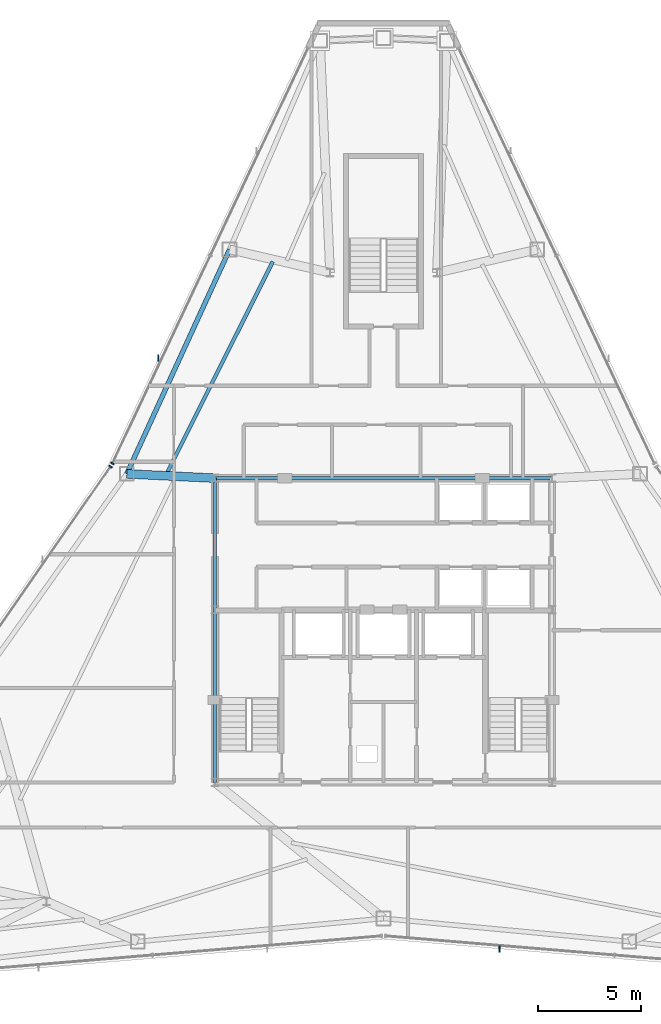
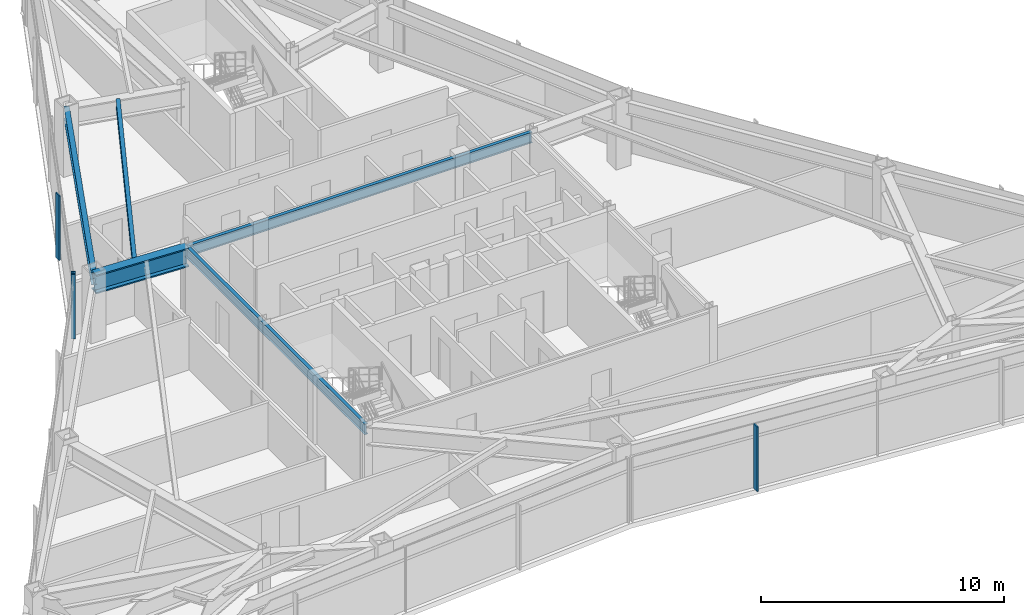
# One storey, part 5 of 12: 5 beams, 4 members, 3 elements without a shape of their own.
"""IFC4 building model written with IfcOpenShell, lengths in metres."""

from ifc_helpers import new_model, si_unit, direction, frame, origin, origin_2d, place, context, subcontext, project, spatial, rectangle, i_section, extrude, source, transform, mapped, material, layer, layer_set, material_profile, profile_set, type_object, type_shapes, element, aggregate, save


model = new_model("IFC4")

# Units and contexts
model_context = context("Model", 3, precision=1e-05, world=origin(), true_north=direction((0.0, 1.0)))
body_context = subcontext(model_context, "Body", "Model", "MODEL_VIEW")
ifc_project = project(units=[si_unit("LENGTHUNIT", "METRE"), si_unit("AREAUNIT", "SQUARE_METRE"), si_unit("VOLUMEUNIT", "CUBIC_METRE"), si_unit("PLANEANGLEUNIT", "RADIAN"), si_unit("MASSUNIT", "GRAM", prefix="KILO")], contexts=[model_context])

# Site, building, storey
site_placement = place(None, origin())
site = spatial("IfcSite", under=ifc_project, at=site_placement, CompositionType="ELEMENT")
building_placement = place(site_placement, origin())
building = spatial("IfcBuilding", under=site, at=building_placement, Name="Varakhsha Concourse Tower", CompositionType="ELEMENT")
storey_placement = place(building_placement, frame((0.0, 0.0, 225.89990234375)))
storey = spatial("IfcBuildingStorey", under=building, at=storey_placement, Name="L64", CompositionType="ELEMENT", Elevation=225.89990234375)

# Beams
ifc_material_1 = material(Name="Structural Steel ASTM A992 Grade 50", Category="steel")
ifc_material_profile_1 = material_profile(ifc_material_1, i_section(OverallWidth=0.177978515625, OverallDepth=0.406982421875, WebThickness=0.008056640625, FlangeThickness=0.012939453125, at=origin_2d()), Name="W16X40")
ifc_profile_set_1 = profile_set([ifc_material_profile_1], Name="Structural Steel ASTM A992 Grade 50")
beam_type_1 = type_object("IfcBeamType", Name="BM-JST-W16X40", PredefinedType="JOIST", material=ifc_profile_set_1)
beam_1_placement = place(storey_placement, frame((34.614013671875, 41.735595703125, 3.046630859375), z_axis=(-0.447729709123, -0.894168948001, 0.0), x_axis=(0.894168948001, -0.447729709123, 0.0)))
element("IfcBeam", 1, at=beam_1_placement, inside=storey, type_object=beam_type_1, Name="BM-TJST-L64-04", PredefinedType="JOIST", context=body_context, shape_type="SweptSolid", body=[
    extrude(i_section(OverallWidth=0.177978515625, OverallDepth=0.406982421875, WebThickness=0.008056640625, FlangeThickness=0.012939453125, at=origin_2d()), origin(), (0.0, 0.0, 1.0), 11.54052734375),
])
ifc_material_profile_2 = material_profile(ifc_material_1, i_section(OverallWidth=0.423095703125, OverallDepth=0.947998046875, WebThickness=0.0380859375, FlangeThickness=0.06396484375, at=origin_2d()), Name="W36X302")
ifc_profile_set_2 = profile_set([ifc_material_profile_2], Name="Structural Steel ASTM A992 Grade 50")
beam_type_2 = type_object("IfcBeamType", Name="BM-OUTR-W36X302", PredefinedType="USERDEFINED", material=ifc_profile_set_2)
beam_2_placement = place(storey_placement, frame((31.800048828125, 31.199951171875, 2.776123046875), z_axis=(-0.998790595953, 0.049166507256, 0.0), x_axis=(-0.049166507256, -0.998790595953, 0.0)))
element("IfcBeam", 2, at=beam_2_placement, inside=storey, type_object=beam_type_2, Name="L64 Radial Floor Girder 05", ObjectType="GIRDER", PredefinedType="USERDEFINED", context=body_context, shape_type="SweptSolid", body=[
    extrude(i_section(OverallWidth=0.423095703125, OverallDepth=0.947998046875, WebThickness=0.0380859375, FlangeThickness=0.06396484375, at=origin_2d()), origin(), (0.0, 0.0, 1.0), 4.295166015625),
])
ifc_material_profile_3 = material_profile(ifc_material_1, i_section(OverallWidth=0.1669921875, OverallDepth=0.534912109375, WebThickness=0.010009765625, FlangeThickness=0.01708984375, at=origin_2d()), Name="W21X57")
ifc_profile_set_3 = profile_set([ifc_material_profile_3], Name="Structural Steel ASTM A992 Grade 50")
beam_type_3 = type_object("IfcBeamType", Name="BM-RAD-W21X57", PredefinedType="BEAM", material=ifc_profile_set_3)
beam_3_placement = place(storey_placement, frame((31.800048828125, 31.199951171875, 2.982666015625), z_axis=(1.0, 0.0, 0.0), x_axis=(0.0, 1.0, 0.0)))
element("IfcBeam", 3, at=beam_3_placement, inside=storey, type_object=beam_type_3, Name="BM-TCORE-L64-CN", PredefinedType="BEAM", context=body_context, shape_type="SweptSolid", body=[
    extrude(i_section(OverallWidth=0.1669921875, OverallDepth=0.534912109375, WebThickness=0.010009765625, FlangeThickness=0.01708984375, at=origin_2d()), origin(), (0.0, 0.0, 1.0), 16.39990234375),
])
beam_4_placement = place(storey_placement, frame((31.800048828125, 16.39990234375, 2.982666015625), z_axis=(0.0, 1.0, 0.0), x_axis=(-1.0, 0.0, 0.0)))
element("IfcBeam", 4, at=beam_4_placement, inside=storey, type_object=beam_type_3, Name="BM-TCORE-L64-CW", PredefinedType="BEAM", context=body_context, shape_type="SweptSolid", body=[
    extrude(i_section(OverallWidth=0.1669921875, OverallDepth=0.534912109375, WebThickness=0.010009765625, FlangeThickness=0.01708984375, at=origin_2d()), origin(), (0.0, 0.0, 1.0), 14.800048828125),
])
ifc_material_profile_4 = material_profile(ifc_material_1, i_section(OverallWidth=0.22900390625, OverallDepth=0.612060546875, WebThickness=0.011962890625, FlangeThickness=0.02001953125, at=origin_2d()), Name="W24X84")
ifc_profile_set_4 = profile_set([ifc_material_profile_4], Name="Structural Steel ASTM A992 Grade 50")
beam_type_4 = type_object("IfcBeamType", Name="BM-SPAN-W24X84", PredefinedType="SPANDREL", material=ifc_profile_set_4)
beam_5_placement = place(storey_placement, frame((32.512939453125, 42.332275390625, 2.944091796875), z_axis=(-0.416476249185, -0.909146596466, 0.0), x_axis=(0.909146596466, -0.416476249185, 0.0)))
element("IfcBeam", 5, at=beam_5_placement, inside=storey, type_object=beam_type_4, Name="BM-SPAN-L64-04", PredefinedType="SPANDREL", context=body_context, shape_type="SweptSolid", body=[
    extrude(i_section(OverallWidth=0.22900390625, OverallDepth=0.612060546875, WebThickness=0.011962890625, FlangeThickness=0.02001953125, at=origin_2d()), origin(), (0.0, 0.0, 1.0), 12.012451171875),
])

# Curtain wall, member
ifc_material_2 = material(Name="Anodised Bronze Architectural Aluminium AA 6063-T6", Category="aluminium")
ifc_layer = layer(ifc_material_2, 0.199951171875, Name="CW-SYS-05")
ifc_layer_set = layer_set([ifc_layer], Name="Anodised Bronze Architectural Aluminium AA 6063-T6")
curtain_wall_type = type_object("IfcCurtainWallType", Name="CW-SYS-05", PredefinedType="NOTDEFINED", material=ifc_layer_set)
curtain_wall_1_placement = place(storey_placement, origin())
curtain_wall_1 = element("IfcCurtainWall", 6, at=curtain_wall_1_placement, inside=storey, type_object=curtain_wall_type, Name="L64 Crystal Curtain Wall F2", PredefinedType="NOTDEFINED")
ifc_material_profile_5 = material_profile(ifc_material_2, rectangle(XDim=0.06494140625, YDim=0.179931640625, at=origin_2d()), Name="CWM-180X65")
ifc_profile_set_5 = profile_set([ifc_material_profile_5], Name="Anodised Bronze Architectural Aluminium AA 6063-T6")
member_type_1 = type_object("IfcMemberType", Name="CWM-180X65", PredefinedType="MULLION", material=ifc_profile_set_5)
shared_shape_1 = source(origin(), body_context, "Body", "SweptSolid", [
    extrude(rectangle(XDim=0.06494140625, YDim=0.179931640625, at=origin_2d()), origin(), (0.0, 0.0, 1.0), 3.25),
])
type_shapes(member_type_1, [shared_shape_1])
member_1_placement = place(storey_placement, frame((26.8125, 31.92138671875, 0.0), z_axis=(0.0, 0.0, 1.0), x_axis=(0.426172477405, 0.904641928888, 0.0)))
member_1 = element("IfcMember", 7, at=member_1_placement, type_object=member_type_1, Name="CW-L64-F2 Mullion 00", PredefinedType="MULLION", context=body_context, shape_type="MappedRepresentation", body=[
    mapped(shared_shape_1, transform((0.0, 0.0, 0.0), scale=1.0)),
])

curtain_wall_2_placement = place(storey_placement, origin())
curtain_wall_2 = element("IfcCurtainWall", 8, at=curtain_wall_2_placement, inside=storey, type_object=curtain_wall_type, Name="L64 Crystal Curtain Wall F3", PredefinedType="NOTDEFINED")
member_2_placement = place(storey_placement, frame((26.719482421875, 31.760009765625, 0.0), z_axis=(0.0, 0.0, 1.0), x_axis=(0.570360953861, 0.821394169879, 0.0)))
member_2 = element("IfcMember", 9, at=member_2_placement, type_object=member_type_1, Name="CW-L64-F3 Mullion 02", PredefinedType="MULLION", context=body_context, shape_type="MappedRepresentation", body=[
    mapped(shared_shape_1, transform((0.0, 0.0, 0.0), scale=1.0)),
])
aggregate(curtain_wall_2, [member_2])

# Member
ifc_material_profile_6 = material_profile(ifc_material_2, rectangle(XDim=0.054931640625, YDim=0.300048828125, at=origin_2d()), Name="FIN-BRZ-300")
ifc_profile_set_6 = profile_set([ifc_material_profile_6], Name="Anodised Bronze Architectural Aluminium AA 6063-T6")
member_type_2 = type_object("IfcMemberType", Name="FIN-BRZ-300", PredefinedType="USERDEFINED", material=ifc_profile_set_6)
shared_shape_2 = source(origin(), body_context, "Body", "SweptSolid", [
    extrude(rectangle(XDim=0.054931640625, YDim=0.300048828125, at=origin_2d()), origin(), (0.0, 0.0, 1.0), 3.25),
])
type_shapes(member_type_2, [shared_shape_2])
member_3_placement = place(storey_placement, frame((29.044921875, 37.04736328125, 0.0), z_axis=(0.0, 0.0, 1.0), x_axis=(1.0, 0.0, 0.0)))
member_3 = element("IfcMember", 10, at=member_3_placement, type_object=member_type_2, Name="L64 Anodised Bronze Solar Fin F2-1", ObjectType="SOLAR FIN", PredefinedType="USERDEFINED", context=body_context, shape_type="MappedRepresentation", body=[
    mapped(shared_shape_2, transform((0.0, 0.0, 0.0), scale=1.0)),
])

aggregate(curtain_wall_1, [member_1, member_3])

# Curtain wall, member
curtain_wall_3_placement = place(storey_placement, origin())
curtain_wall_3 = element("IfcCurtainWall", 11, at=curtain_wall_3_placement, inside=storey, type_object=curtain_wall_type, Name="L64 Crystal Curtain Wall F6", PredefinedType="NOTDEFINED")
member_4_placement = place(storey_placement, frame((45.648681640625, 8.2890625, 0.0), z_axis=(0.0, 0.0, 1.0), x_axis=(1.0, 0.0, 0.0)))
member_4 = element("IfcMember", 12, at=member_4_placement, type_object=member_type_2, Name="L64 Anodised Bronze Solar Fin F6-2", ObjectType="SOLAR FIN", PredefinedType="USERDEFINED", context=body_context, shape_type="MappedRepresentation", body=[
    mapped(shared_shape_2, transform((0.0, 0.0, 0.0), scale=1.0)),
])
aggregate(curtain_wall_3, [member_4])

save(model, "model.ifc")
